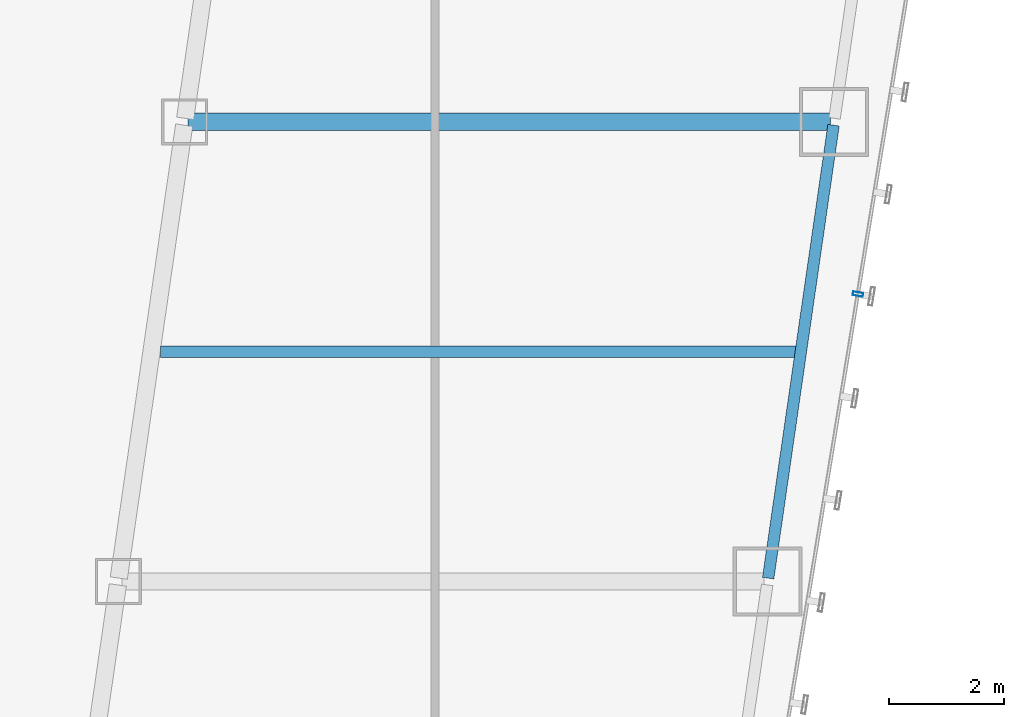
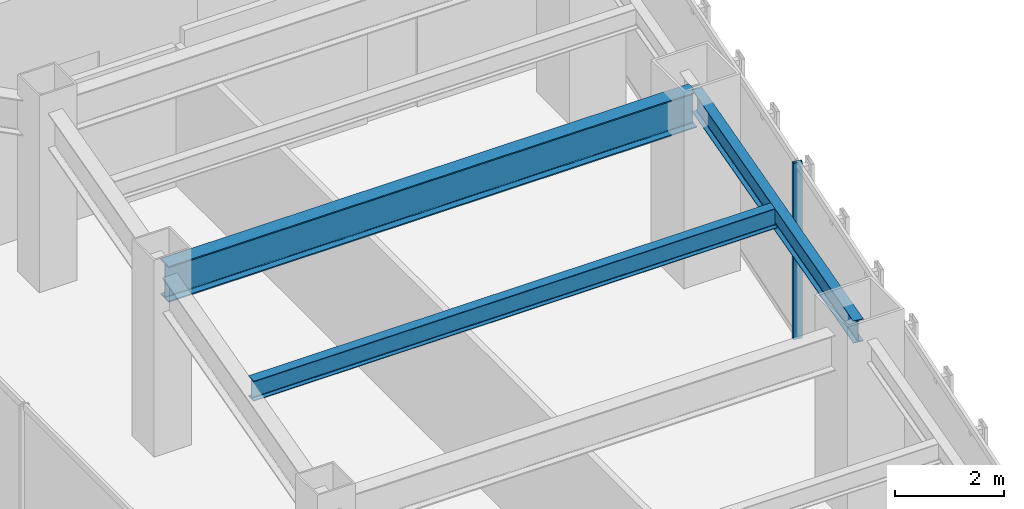
# One storey, part 21 of 47: 3 beams, 1 member, 1 element without a shape of its own.
"""IFC4 building model written with IfcOpenShell, lengths in metres."""

from ifc_helpers import new_model, si_unit, direction, frame, origin, origin_2d, place, context, subcontext, project, spatial, hollow_rectangle, i_section, extrude, material, material_profile, profile_set, type_object, element, aggregate, save


model = new_model("IFC4")

# Units and contexts
model_context = context("Model", 3, precision=1e-05, world=origin(), true_north=direction((0.0, 1.0)))
body_context = subcontext(model_context, "Body", "Model", "MODEL_VIEW")
ifc_project = project(units=[si_unit("LENGTHUNIT", "METRE"), si_unit("AREAUNIT", "SQUARE_METRE"), si_unit("VOLUMEUNIT", "CUBIC_METRE"), si_unit("PLANEANGLEUNIT", "RADIAN"), si_unit("MASSUNIT", "GRAM", prefix="KILO")], contexts=[model_context])

# Site, building, storey
site_placement = place(None, origin())
site = spatial("IfcSite", under=ifc_project, at=site_placement, CompositionType="ELEMENT")
building_placement = place(site_placement, origin())
building = spatial("IfcBuilding", under=site, at=building_placement, Name="Saevonmaru Cultural Tower", CompositionType="ELEMENT")
storey_placement = place(building_placement, frame((0.0, 0.0, 82.39990234375)))
storey = spatial("IfcBuildingStorey", under=building, at=storey_placement, Name="L17", CompositionType="ELEMENT", Elevation=82.39990234375)

# Beams
ifc_material_1 = material(Name="Steel SM420", Category="steel")
ifc_material_profile_1 = material_profile(ifc_material_1, i_section(OverallWidth=0.300048828125, OverallDepth=0.800048828125, WebThickness=0.013916015625, FlangeThickness=0.02587890625, FilletRadius=0.028076171875, at=origin_2d()), Name="H-800x300x14x26")
ifc_profile_set_1 = profile_set([ifc_material_profile_1], Name="Steel SM420")
beam_type_1 = type_object("IfcBeamType", Name="BM-G-H800", PredefinedType="BEAM", material=ifc_profile_set_1)
beam_1_placement = place(storey_placement, frame((40.443115234375, 32.0, 3.550048828125), z_axis=(1.0, 0.0, 0.0), x_axis=(0.0, 1.0, 0.0)))
element("IfcBeam", 1, at=beam_1_placement, inside=storey, type_object=beam_type_1, Name="L17 East Wing Transverse Girder 5", PredefinedType="BEAM", context=body_context, shape_type="SweptSolid", body=[
    extrude(i_section(OverallWidth=0.300048828125, OverallDepth=0.800048828125, WebThickness=0.013916015625, FlangeThickness=0.02587890625, FilletRadius=0.028076171875, at=origin_2d()), origin(), (0.0, 0.0, 1.0), 11.179931640625),
])
ifc_material_2 = material(Name="Steel SM355", Category="steel")
ifc_material_profile_2 = material_profile(ifc_material_2, i_section(OverallWidth=0.199951171875, OverallDepth=0.449951171875, WebThickness=0.009033203125, FlangeThickness=0.013916015625, FilletRadius=0.01806640625, at=origin_2d()), Name="H-450x200x9x14")
ifc_profile_set_2 = profile_set([ifc_material_profile_2], Name="Steel SM355")
beam_type_2 = type_object("IfcBeamType", Name="BM-J-H450", PredefinedType="JOIST", material=ifc_profile_set_2)
beam_2_placement = place(storey_placement, frame((39.96337890625, 28.0, 3.72509765625), z_axis=(1.0, 0.0, 0.0), x_axis=(0.0, 1.0, 0.0)))
element("IfcBeam", 2, at=beam_2_placement, inside=storey, type_object=beam_type_2, Name="L17 East Wing Floor Joist 4", PredefinedType="JOIST", context=body_context, shape_type="SweptSolid", body=[
    extrude(i_section(OverallWidth=0.199951171875, OverallDepth=0.449951171875, WebThickness=0.009033203125, FlangeThickness=0.013916015625, FilletRadius=0.01806640625, at=origin_2d()), origin(), (0.0, 0.0, 1.0), 11.08203125),
])
ifc_material_profile_3 = material_profile(ifc_material_2, i_section(OverallWidth=0.199951171875, OverallDepth=0.5, WebThickness=0.010009765625, FlangeThickness=0.01611328125, FilletRadius=0.02001953125, at=origin_2d()), Name="H-500x200x10x16")
ifc_profile_set_3 = profile_set([ifc_material_profile_3], Name="Steel SM355")
beam_type_3 = type_object("IfcBeamType", Name="BM-SP-H500", PredefinedType="SPANDREL", material=ifc_profile_set_3)
beam_3_placement = place(storey_placement, frame((50.53662109375, 24.059326171875, 3.7001953125), z_axis=(0.142871999001, 0.989741174197, 0.0), x_axis=(-0.989741174197, 0.142871999001, 0.0)))
element("IfcBeam", 3, at=beam_3_placement, inside=storey, type_object=beam_type_3, Name="L17 East Splayed Spandrel 4", PredefinedType="SPANDREL", context=body_context, shape_type="SweptSolid", body=[
    extrude(i_section(OverallWidth=0.199951171875, OverallDepth=0.5, WebThickness=0.010009765625, FlangeThickness=0.01611328125, FilletRadius=0.02001953125, at=origin_2d()), origin(), (0.0, 0.0, 1.0), 7.963134765625),
])

# Curtain wall, member
ifc_material_3 = material(Name="Satin Bronze Anodised Aluminium", Category="aluminium")
curtain_wall_type = type_object("IfcCurtainWallType", Name="CW-TYP-A", PredefinedType="NOTDEFINED", material=ifc_material_3)
curtain_wall_placement = place(storey_placement, origin())
curtain_wall = element("IfcCurtainWall", 4, at=curtain_wall_placement, inside=storey, type_object=curtain_wall_type, Name="L17 Unitised Curtain Wall E8", PredefinedType="NOTDEFINED")
ifc_material_profile_4 = material_profile(ifc_material_3, hollow_rectangle(XDim=0.06494140625, YDim=0.179931640625, WallThickness=0.00390625, at=origin_2d()), Name="ALU-MULL-180x65x4")
ifc_profile_set_4 = profile_set([ifc_material_profile_4], Name="Satin Bronze Anodised Aluminium")
member_type = type_object("IfcMemberType", Name="ML-CW-180x65", PredefinedType="MULLION", material=ifc_profile_set_4)
member_placement = place(storey_placement, frame((52.10009765625, 29.0, 0.0), z_axis=(0.0, 0.0, 1.0), x_axis=(0.161708868641, 0.986838508472, 0.0)))
member = element("IfcMember", 5, at=member_placement, type_object=member_type, Name="CW-TW-L17-E8 mullion 3", PredefinedType="MULLION", context=body_context, shape_type="SweptSolid", body=[
    extrude(hollow_rectangle(XDim=0.06494140625, YDim=0.179931640625, WallThickness=0.00390625, at=origin_2d()), origin(), (0.0, 0.0, 1.0), 3.9501953125),
])
aggregate(curtain_wall, [member])

save(model, "model.ifc")
